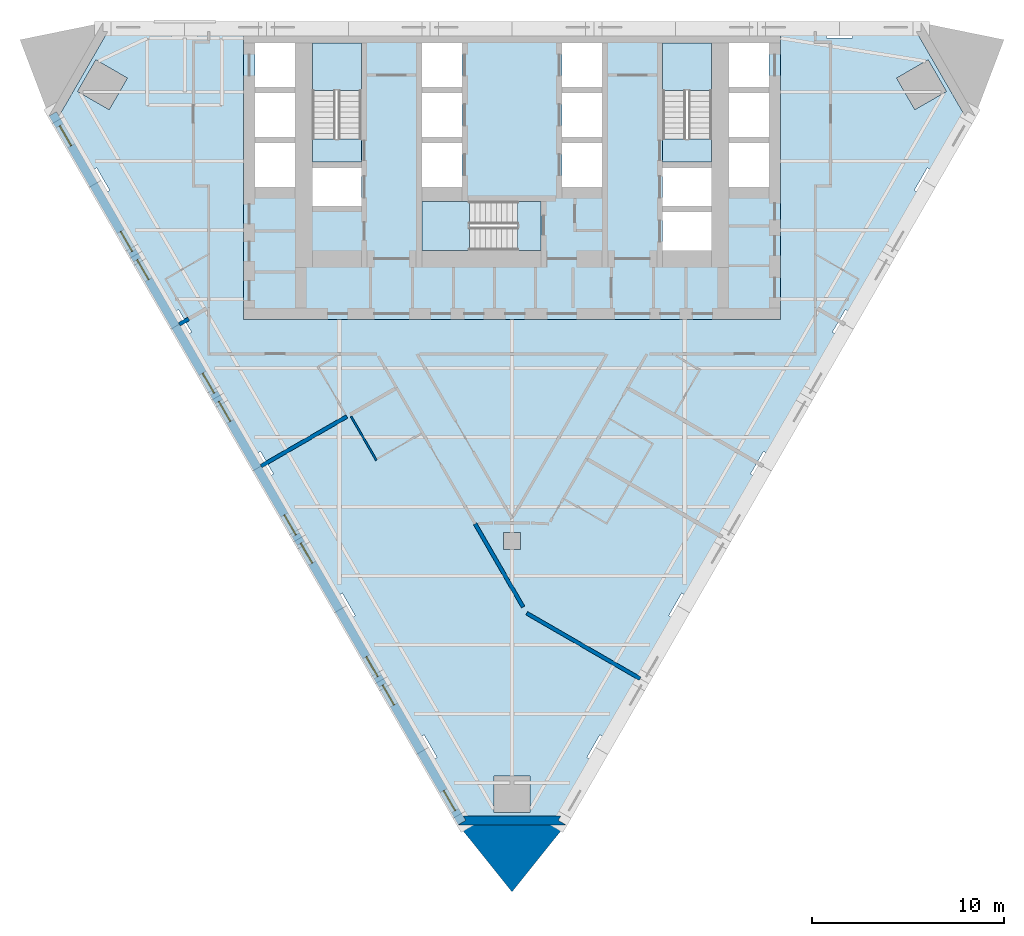
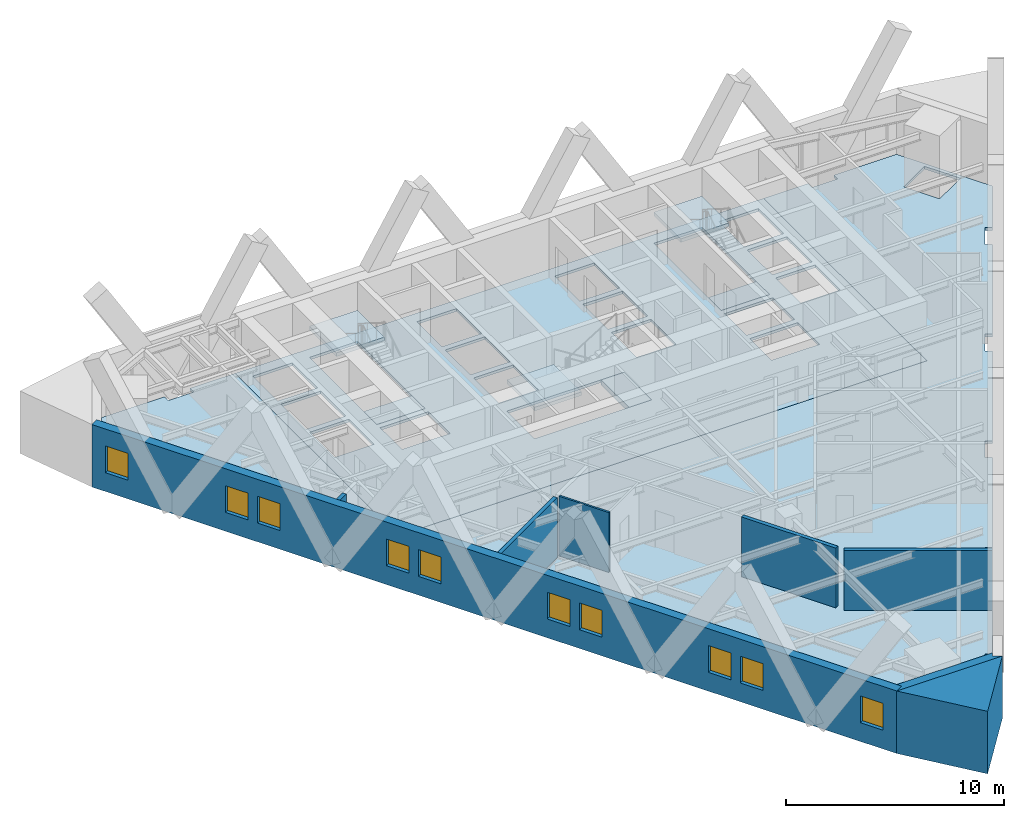
# One storey, part 2 of 8: 10 windows, 8 slabs, 8 walls, 10 openings, 3 elements without a shape of their own.
"""IFC4 building model written with IfcOpenShell, lengths in metres."""

import ifcopenshell
import ifcopenshell.guid

model = None  # the IFC model being written
_history = None  # IfcOwnerHistory: only IFC2X3 demands one
_inside = {}  # id of a spatial element -> (the spatial element, [elements in it])
_under = {}  # id of a project, library or spatial element -> (it, [spatial elements below it])
_declared = {}  # id of a project -> (the project, [libraries it declares])
_typed = {}  # id of a type object -> (the type object, [elements of that type])
_made_of = {}  # id of a material, layer set ... -> (it, [elements and type objects made of it])


def new_model(schema):
    """Start an empty IFC model of exactly this schema.

    Asked for "IFC4X3", IfcOpenShell would pick the latest addendum, in which some entities
    have other attributes; the version numbers below select the first issue.
    IFC2X3 requires an IfcOwnerHistory on every rooted entity: one is made here for all.
    """
    global model, _history
    if schema == "IFC4X3":
        model = ifcopenshell.file(schema_version=(4, 3, 0, 0))
    else:
        model = ifcopenshell.file(schema=schema)
    _inside.clear()
    _under.clear()
    _declared.clear()
    _typed.clear()
    _made_of.clear()
    _history = None
    if model.schema == "IFC2X3":
        org = make("IfcOrganization", Name="unknown")
        user = make(
            "IfcPersonAndOrganization",
            ThePerson=make("IfcPerson", FamilyName="unknown"),
            TheOrganization=org,
        )
        app = make(
            "IfcApplication",
            ApplicationDeveloper=org,
            Version="unknown",
            ApplicationFullName="unknown",
            ApplicationIdentifier="unknown",
        )
        _history = make(
            "IfcOwnerHistory",
            OwningUser=user,
            OwningApplication=app,
            ChangeAction="ADDED",
            CreationDate=0,
        )
    return model


def make(cls, **values):
    """One entity of the class cls with the attributes given. An attribute that is None is left unset."""
    return model.create_entity(
        cls, **{name: value for name, value in values.items() if value is not None}
    )


def rooted(cls, **values):
    """An entity with a GlobalId (a new one), such as an element, a storey or a relation."""
    return make(cls, GlobalId=ifcopenshell.guid.new(), OwnerHistory=_history, **values)


def si_unit(unit_type, name, prefix=None):
    """IfcSIUnit, for example si_unit("LENGTHUNIT", "METRE", prefix="MILLI")."""
    return make("IfcSIUnit", UnitType=unit_type, Prefix=prefix, Name=name)


def assignment(units):
    """IfcUnitAssignment: the units of a project."""
    return None if units is None else make("IfcUnitAssignment", Units=units)


def point(xyz):
    """IfcCartesianPoint."""
    return None if xyz is None else make("IfcCartesianPoint", Coordinates=xyz)


def direction(xyz):
    """IfcDirection."""
    return None if xyz is None else make("IfcDirection", DirectionRatios=xyz)


def frame(location, z_axis=None, x_axis=None):
    """IfcAxis2Placement3D, a coordinate frame: its origin and axes. An axis left out is left unset."""
    return make(
        "IfcAxis2Placement3D",
        Location=point(location),
        Axis=direction(z_axis),
        RefDirection=direction(x_axis),
    )


def frame_2d(location, x_axis=None):
    """IfcAxis2Placement2D, a coordinate frame in the plane: its origin and x axis."""
    return make(
        "IfcAxis2Placement2D", Location=point(location), RefDirection=direction(x_axis)
    )


def origin():
    """The frame at (0, 0, 0) with its axes left unset."""
    return frame((0.0, 0.0, 0.0))


def place(relative_to, where):
    """IfcLocalPlacement: puts the frame where relative to a parent placement (None: the world)."""
    return make(
        "IfcLocalPlacement", PlacementRelTo=relative_to, RelativePlacement=where
    )


def context(
    kind, dimensions, precision=None, world=None, true_north=None, identifier=None
):
    """IfcGeometricRepresentationContext, for example the 3D "Model" context."""
    return make(
        "IfcGeometricRepresentationContext",
        ContextIdentifier=identifier,
        ContextType=kind,
        CoordinateSpaceDimension=dimensions,
        Precision=precision,
        WorldCoordinateSystem=world,
        TrueNorth=true_north,
    )


def subcontext(parent, identifier, kind, view, scale=None):
    """IfcGeometricRepresentationSubContext, for example "Body" below "Model"."""
    return make(
        "IfcGeometricRepresentationSubContext",
        ContextIdentifier=identifier,
        ContextType=kind,
        ParentContext=parent,
        TargetScale=scale,
        TargetView=view,
    )


def project(units=None, contexts=None):
    """IfcProject with its units and contexts."""
    return rooted(
        "IfcProject",
        Name="project",
        RepresentationContexts=contexts,
        UnitsInContext=assignment(units),
    )


def spatial(cls, under=None, at=None, **own):
    """A site, building, storey or space (cls), placed at a placement, below another one or the project."""
    s = rooted(cls, ObjectPlacement=at, **own)
    if under is not None:
        _under.setdefault(under.id(), (under, []))[1].append(s)
    return s


def polyline(points):
    """IfcPolyline through the points."""
    return make("IfcPolyline", Points=[point(p) for p in points])


def profile(cls, at=None, kind="AREA", **sizes):
    """A parametric profile (cls). Its sizes go by their IFC names, for example OverallWidth=200.0."""
    return make(cls, ProfileType=kind, Position=at, **sizes)


def rectangle(**sizes):
    """IfcRectangleProfileDef."""
    return profile("IfcRectangleProfileDef", **sizes)


def outline(outer, holes=None, kind="AREA"):
    """IfcArbitraryClosedProfileDef: a profile drawn as a closed curve; with holes, ...WithVoids."""
    if holes is None:
        return make("IfcArbitraryClosedProfileDef", ProfileType=kind, OuterCurve=outer)
    return make(
        "IfcArbitraryProfileDefWithVoids",
        ProfileType=kind,
        OuterCurve=outer,
        InnerCurves=holes,
    )


def extrude(swept, where, along, depth):
    """IfcExtrudedAreaSolid: the profile swept, set in the frame where, extruded along a direction by depth."""
    return make(
        "IfcExtrudedAreaSolid",
        SweptArea=swept,
        Position=where,
        ExtrudedDirection=direction(along),
        Depth=depth,
    )


def shape(context_of_items, identifier, shape_type, items):
    """IfcShapeRepresentation: the items that make up one representation, for example the "Body"."""
    return make(
        "IfcShapeRepresentation",
        ContextOfItems=context_of_items,
        RepresentationIdentifier=identifier,
        RepresentationType=shape_type,
        Items=items,
    )


def material(Name=None, Category=None):
    """IfcMaterial."""
    return make("IfcMaterial", Name=Name, Category=Category)


def layer(
    of_material, thickness, ventilated=None, Name=None, Category=None, Priority=None
):
    """IfcMaterialLayer: one layer of a wall or slab, of a material (None: an air gap)."""
    return make(
        "IfcMaterialLayer",
        Material=of_material,
        LayerThickness=thickness,
        IsVentilated=ventilated,
        Name=Name,
        Category=Category,
        Priority=Priority,
    )


def layer_set(layers, Name=None):
    """IfcMaterialLayerSet."""
    return make("IfcMaterialLayerSet", MaterialLayers=layers, LayerSetName=Name)


def made_of(thing, what):
    """Note that an element or type object is made of a material, layer set ...; save() writes the relation."""
    if what is not None:
        _made_of.setdefault(what.id(), (what, []))[1].append(thing)
    return thing


def type_object(cls, material=None, **own):
    """A type object (cls), such as IfcWallType, which elements share."""
    return made_of(rooted(cls, **own), material)


def element(
    cls,
    number,
    at=None,
    inside=None,
    cuts=None,
    type_object=None,
    material=None,
    context=None,
    identifier="Body",
    shape_type=None,
    held_by="IfcProductDefinitionShape",
    body=None,
    shapes=None,
    **own,
):
    """One element of the class cls, such as IfcWall. Its Tag is "e" and its number.

    at: its placement. inside: the storey or other place that contains it. cuts: it is an
    opening in that element (IfcRelVoidsElement). A single representation is given by context,
    identifier, shape_type and body (its items); several are given by shapes. held_by: the class
    of the entity that holds the representations. save() writes the other relations.
    """
    e = rooted(cls, Tag="e%d" % number, ObjectPlacement=at, **own)
    if body is not None:
        shapes = [shape(context, identifier, shape_type, body)]
    if shapes is not None:
        e.Representation = make(held_by, Representations=shapes)
    if inside is not None:
        _inside.setdefault(inside.id(), (inside, []))[1].append(e)
    if cuts is not None:
        rooted(
            "IfcRelVoidsElement", RelatingBuildingElement=cuts, RelatedOpeningElement=e
        )
    if type_object is not None:
        _typed.setdefault(type_object.id(), (type_object, []))[1].append(e)
    return made_of(e, material)


def fill(opening, filler):
    """IfcRelFillsElement: the door or window that sits in an opening."""
    return rooted(
        "IfcRelFillsElement",
        RelatingOpeningElement=opening,
        RelatedBuildingElement=filler,
    )


def aggregate(whole, parts):
    """IfcRelAggregates: a whole, such as a stair, and the parts it consists of."""
    return rooted("IfcRelAggregates", RelatingObject=whole, RelatedObjects=parts)


def save(model, path):
    """Write the relations noted so far, then the file.

    IfcRelAggregates (storeys below a building ...), IfcRelContainedInSpatialStructure (elements
    in a storey), IfcRelDefinesByType, IfcRelAssociatesMaterial and IfcRelDeclares: one each for
    every whole, place, type object, material and project.
    """
    for whole, parts in _under.values():
        aggregate(whole, parts)
    for where, things in _inside.values():
        rooted(
            "IfcRelContainedInSpatialStructure",
            RelatedElements=things,
            RelatingStructure=where,
        )
    for kind, things in _typed.values():
        rooted("IfcRelDefinesByType", RelatedObjects=things, RelatingType=kind)
    for what, things in _made_of.values():
        rooted("IfcRelAssociatesMaterial", RelatedObjects=things, RelatingMaterial=what)
    for by, libraries in _declared.values():
        rooted("IfcRelDeclares", RelatingContext=by, RelatedDefinitions=libraries)
    model.write(path)


model = new_model("IFC4")

# Units and contexts
model_context = context("Model", 3, precision=1e-05, world=origin(), true_north=direction((0.0, 1.0)))
body_context = subcontext(model_context, "Body", "Model", "MODEL_VIEW")
ifc_project = project(units=[si_unit("LENGTHUNIT", "METRE"), si_unit("AREAUNIT", "SQUARE_METRE"), si_unit("VOLUMEUNIT", "CUBIC_METRE"), si_unit("PLANEANGLEUNIT", "RADIAN"), si_unit("MASSUNIT", "GRAM", prefix="KILO")], contexts=[model_context])

# Site, building, storey
site_placement = place(None, origin())
site = spatial("IfcSite", under=ifc_project, at=site_placement, CompositionType="ELEMENT")
building_placement = place(site_placement, origin())
building = spatial("IfcBuilding", under=site, at=building_placement, Name="Aloe Facet Convention Tower", CompositionType="ELEMENT")
storey_placement = place(building_placement, frame((0.0, 0.0, 88.800048828125)))
storey = spatial("IfcBuildingStorey", under=building, at=storey_placement, Name="L21", CompositionType="ELEMENT", Elevation=88.800048828125)

# Slabs
ifc_material_1 = material(Name="Concrete C70/85", Category="concrete")
ifc_layer_1 = layer(ifc_material_1, 0.14990234375)
ifc_layer_set_1 = layer_set([ifc_layer_1], Name="CR-S-FLOOR150-C7085")
slab_type_1 = type_object("IfcSlabType", Name="CR-S-FLOOR150-C7085", PredefinedType="FLOOR", material=ifc_layer_set_1)
slab_1_placement = place(storey_placement, frame((0.0, 0.0, -0.150146484375)))
element("IfcSlab", 1, at=slab_1_placement, inside=storey, type_object=slab_type_1, Name="Core floor L21", PredefinedType="FLOOR", context=body_context, shape_type="SweptSolid", body=[
    extrude(outline(polyline([(69.300048828125, 134.550048828125), (71.85009765625, 134.550048828125), (72.75, 134.550048828125), (74.699951171875, 134.550048828125), (75.60009765625, 134.550048828125), (77.10009765625, 134.550048828125), (78.0, 134.550048828125), (82.0, 134.550048828125), (82.89990234375, 134.550048828125), (84.39990234375, 134.550048828125), (85.300048828125, 134.550048828125), (87.25, 134.550048828125), (88.14990234375, 134.550048828125), (90.699951171875, 134.550048828125), (91.0, 134.550048828125), (94.0, 134.550048828125), (94.0, 131.949951171875), (94.0, 131.050048828125), (94.0, 129.35009765625), (94.0, 128.449951171875), (94.0, 126.449951171875), (94.0, 125.85009765625), (94.0, 124.949951171875), (94.0, 123.89990234375), (94.0, 122.871337890625), (94.0, 121.821533203125), (94.0, 119.550048828125), (91.300048828125, 119.550048828125), (90.699951171875, 119.550048828125), (89.60009765625, 119.550048828125), (88.550048828125, 119.550048828125), (87.89990234375, 119.550048828125), (86.85009765625, 119.550048828125), (85.699951171875, 119.550048828125), (84.64990234375, 119.550048828125), (83.699951171875, 119.550048828125), (82.64990234375, 119.550048828125), (81.75, 119.550048828125), (80.699951171875, 119.550048828125), (79.61669921875, 119.550048828125), (78.566650390625, 119.550048828125), (77.4833984375, 119.550048828125), (76.433349609375, 119.550048828125), (75.35009765625, 119.550048828125), (74.300048828125, 119.550048828125), (73.14990234375, 119.550048828125), (72.10009765625, 119.550048828125), (69.300048828125, 119.550048828125), (68.699951171875, 119.550048828125), (66.0, 119.550048828125), (66.0, 121.5), (66.0, 122.550048828125), (66.0, 123.639404296875), (66.0, 124.689453125), (66.0, 125.85009765625), (66.0, 126.449951171875), (66.0, 128.449951171875), (66.0, 129.35009765625), (66.0, 131.050048828125), (66.0, 131.949951171875), (66.0, 134.550048828125), (69.0, 134.550048828125), (69.300048828125, 134.550048828125)]), holes=[polyline([(75.300048828125, 123.14990234375), (80.298828125, 123.14990234375), (81.5, 123.14990234375), (81.5, 125.699951171875), (80.298828125, 125.699951171875), (75.300048828125, 125.699951171875), (75.300048828125, 123.14990234375)]), polyline([(69.60009765625, 125.449951171875), (72.14990234375, 125.449951171875), (72.14990234375, 127.449951171875), (69.60009765625, 127.449951171875), (69.60009765625, 125.449951171875)]), polyline([(66.60009765625, 126.449951171875), (68.699951171875, 126.449951171875), (68.699951171875, 128.75), (66.60009765625, 128.75), (66.60009765625, 126.449951171875)]), polyline([(75.300048828125, 126.449951171875), (77.39990234375, 126.449951171875), (77.39990234375, 128.75), (75.300048828125, 128.75), (75.300048828125, 126.449951171875)]), polyline([(66.60009765625, 129.050048828125), (68.699951171875, 129.050048828125), (68.699951171875, 131.35009765625), (66.60009765625, 131.35009765625), (66.60009765625, 129.050048828125)]), polyline([(75.300048828125, 129.050048828125), (77.39990234375, 129.050048828125), (77.39990234375, 131.35009765625), (75.300048828125, 131.35009765625), (75.300048828125, 129.050048828125)]), polyline([(69.60009765625, 133.949951171875), (69.60009765625, 128.951171875), (69.60009765625, 127.75), (72.14990234375, 127.75), (72.14990234375, 128.951171875), (72.14990234375, 133.949951171875), (69.60009765625, 133.949951171875)]), polyline([(66.60009765625, 133.949951171875), (66.60009765625, 131.64990234375), (68.699951171875, 131.64990234375), (68.699951171875, 133.949951171875), (66.60009765625, 133.949951171875)]), polyline([(75.300048828125, 133.949951171875), (75.300048828125, 131.64990234375), (77.39990234375, 131.64990234375), (77.39990234375, 133.949951171875), (75.300048828125, 133.949951171875)]), polyline([(87.85009765625, 123.14990234375), (90.39990234375, 123.14990234375), (90.39990234375, 125.14990234375), (87.85009765625, 125.14990234375), (87.85009765625, 123.14990234375)]), polyline([(87.85009765625, 125.449951171875), (90.39990234375, 125.449951171875), (90.39990234375, 127.449951171875), (87.85009765625, 127.449951171875), (87.85009765625, 125.449951171875)]), polyline([(82.60009765625, 126.449951171875), (84.699951171875, 126.449951171875), (84.699951171875, 128.75), (82.60009765625, 128.75), (82.60009765625, 126.449951171875)]), polyline([(91.300048828125, 126.449951171875), (93.39990234375, 126.449951171875), (93.39990234375, 128.75), (91.300048828125, 128.75), (91.300048828125, 126.449951171875)]), polyline([(82.60009765625, 129.050048828125), (84.699951171875, 129.050048828125), (84.699951171875, 131.35009765625), (82.60009765625, 131.35009765625), (82.60009765625, 129.050048828125)]), polyline([(91.300048828125, 129.050048828125), (93.39990234375, 129.050048828125), (93.39990234375, 131.35009765625), (91.300048828125, 131.35009765625), (91.300048828125, 129.050048828125)]), polyline([(87.85009765625, 133.949951171875), (87.85009765625, 128.951171875), (87.85009765625, 127.75), (90.39990234375, 127.75), (90.39990234375, 128.951171875), (90.39990234375, 133.949951171875), (87.85009765625, 133.949951171875)]), polyline([(82.60009765625, 133.949951171875), (82.60009765625, 131.64990234375), (84.699951171875, 131.64990234375), (84.699951171875, 133.949951171875), (82.60009765625, 133.949951171875)]), polyline([(91.300048828125, 133.949951171875), (91.300048828125, 131.64990234375), (93.39990234375, 131.64990234375), (93.39990234375, 133.949951171875), (91.300048828125, 133.949951171875)])]), origin(), (0.0, 0.0, 1.0), 0.150146484375),
])
ifc_material_2 = material(Name="Concrete C70/85", Category="concrete")
ifc_layer_2 = layer(ifc_material_2, 0.300048828125)
ifc_layer_set_2 = layer_set([ifc_layer_2], Name="CR-S-FLOOR300-C7085")
slab_type_2 = type_object("IfcSlabType", Name="CR-S-FLOOR300-C7085", PredefinedType="FLOOR", material=ifc_layer_set_2)
slab_2_placement = place(storey_placement, frame((0.0, 0.0, -0.300048828125)))
element("IfcSlab", 2, at=slab_2_placement, inside=storey, type_object=slab_type_2, Name="Stair landing floor L21", PredefinedType="FLOOR", context=body_context, shape_type="SweptSolid", body=[
    extrude(outline(polyline([(72.14990234375, 127.75), (72.14990234375, 128.951171875), (69.60009765625, 128.951171875), (69.60009765625, 127.75), (72.14990234375, 127.75)])), origin(), (0.0, 0.0, 1.0), 0.300048828125),
])
slab_3_placement = place(storey_placement, frame((0.0, 0.0, -0.300048828125)))
element("IfcSlab", 3, at=slab_3_placement, inside=storey, type_object=slab_type_2, Name="Stair landing floor L21", PredefinedType="FLOOR", context=body_context, shape_type="SweptSolid", body=[
    extrude(outline(polyline([(90.39990234375, 127.75), (90.39990234375, 128.951171875), (87.85009765625, 128.951171875), (87.85009765625, 127.75), (90.39990234375, 127.75)])), origin(), (0.0, 0.0, 1.0), 0.300048828125),
])
slab_4_placement = place(storey_placement, frame((0.0, 0.0, -0.300048828125)))
element("IfcSlab", 4, at=slab_4_placement, inside=storey, type_object=slab_type_2, Name="Stair landing floor L21", PredefinedType="FLOOR", context=body_context, shape_type="SweptSolid", body=[
    extrude(outline(polyline([(81.5, 125.699951171875), (80.298828125, 125.699951171875), (80.298828125, 123.14990234375), (81.5, 123.14990234375), (81.5, 125.699951171875)])), origin(), (0.0, 0.0, 1.0), 0.300048828125),
])

# Stair, slab
ifc_material_3 = material(Name="Concrete C50/60", Category="concrete")
stair_type = type_object("IfcStairType", Name="CR-ST-20R", PredefinedType="HALF_TURN_STAIR", material=ifc_material_3)
stair_1_placement = place(storey_placement, origin())
stair_1 = element("IfcStair", 5, at=stair_1_placement, inside=storey, type_object=stair_type, Name="L21 Protected exit stair ST1", PredefinedType="HALF_TURN_STAIR")
ifc_material_4 = material(Name="Concrete C50/60", Category="concrete")
ifc_layer_3 = layer(ifc_material_4, 0.199951171875)
ifc_layer_set_3 = layer_set([ifc_layer_3], Name="CR-SL-LANDING")
slab_type_3 = type_object("IfcSlabType", Name="CR-SL-LANDING", PredefinedType="LANDING", material=ifc_layer_set_3)
slab_5_placement = place(storey_placement, frame((0.0, 0.0, 1.550048828125)))
slab_5 = element("IfcSlab", 6, at=slab_5_placement, type_object=slab_type_3, Name="ST1 landing 1", PredefinedType="LANDING", context=body_context, shape_type="SweptSolid", body=[
    extrude(outline(polyline([(72.14990234375, 131.469970703125), (72.14990234375, 133.949951171875), (69.60009765625, 133.949951171875), (69.60009765625, 131.469970703125), (72.14990234375, 131.469970703125)])), origin(), (0.0, 0.0, 1.0), 0.199951171875),
])
aggregate(stair_1, [slab_5])

stair_2_placement = place(storey_placement, origin())
stair_2 = element("IfcStair", 7, at=stair_2_placement, inside=storey, type_object=stair_type, Name="L21 Protected exit stair ST2", PredefinedType="HALF_TURN_STAIR")
slab_6_placement = place(storey_placement, frame((0.0, 0.0, 1.550048828125)))
slab_6 = element("IfcSlab", 8, at=slab_6_placement, type_object=slab_type_3, Name="ST2 landing 1", PredefinedType="LANDING", context=body_context, shape_type="SweptSolid", body=[
    extrude(outline(polyline([(90.39990234375, 131.469970703125), (90.39990234375, 133.949951171875), (87.85009765625, 133.949951171875), (87.85009765625, 131.469970703125), (90.39990234375, 131.469970703125)])), origin(), (0.0, 0.0, 1.0), 0.199951171875),
])
aggregate(stair_2, [slab_6])

stair_3_placement = place(storey_placement, origin())
stair_3 = element("IfcStair", 9, at=stair_3_placement, inside=storey, type_object=stair_type, Name="L21 Protected exit stair ST3", PredefinedType="HALF_TURN_STAIR")
slab_7_placement = place(storey_placement, frame((0.0, 0.0, 1.550048828125)))
slab_7 = element("IfcSlab", 10, at=slab_7_placement, type_object=slab_type_3, Name="ST3 landing 1", PredefinedType="LANDING", context=body_context, shape_type="SweptSolid", body=[
    extrude(outline(polyline([(77.780029296875, 125.699951171875), (75.300048828125, 125.699951171875), (75.300048828125, 123.14990234375), (77.780029296875, 123.14990234375), (77.780029296875, 125.699951171875)])), origin(), (0.0, 0.0, 1.0), 0.199951171875),
])
aggregate(stair_3, [slab_7])

# Slab
ifc_material_5 = material(Name="Concrete C35/45", Category="concrete")
ifc_layer_4 = layer(ifc_material_5, 0.14990234375)
ifc_layer_set_4 = layer_set([ifc_layer_4], Name="SF-FS-150")
slab_type_4 = type_object("IfcSlabType", Name="SF-FS-150", PredefinedType="FLOOR", material=ifc_layer_set_4)
slab_8_placement = place(storey_placement, frame((0.0, 0.0, -0.150146484375)))
element("IfcSlab", 11, at=slab_8_placement, inside=storey, type_object=slab_type_4, Name="Floor slab L21-1", PredefinedType="FLOOR", context=body_context, shape_type="SweptSolid", body=[
    extrude(outline(polyline([(103.601806640625, 130.150390625), (101.93798828125, 127.268310546875), (101.635009765625, 127.443359375), (101.543212890625, 127.2841796875), (101.419677734375, 127.070556640625), (101.050048828125, 126.430419921875), (101.00390625, 126.35009765625), (100.9580078125, 126.27099609375), (101.26123046875, 126.09619140625), (97.673828125, 119.88232421875), (97.37060546875, 120.057373046875), (96.9091796875, 119.258056640625), (96.739501953125, 118.964111328125), (96.69384765625, 118.885009765625), (96.996826171875, 118.710205078125), (93.409423828125, 112.496337890625), (93.1064453125, 112.67138671875), (92.89111328125, 112.298583984375), (92.79931640625, 112.139404296875), (92.644775390625, 111.8720703125), (92.644775390625, 111.8720703125), (92.610595703125, 111.812744140625), (92.47509765625, 111.578125), (92.429443359375, 111.4990234375), (92.732666015625, 111.32421875), (89.145263671875, 105.1103515625), (88.842041015625, 105.285400390625), (88.75, 105.126220703125), (88.503662109375, 104.69921875), (88.2109375, 104.192138671875), (88.165283203125, 104.113037109375), (88.46826171875, 103.93798828125), (84.880859375, 97.724365234375), (84.577880859375, 97.8994140625), (84.529296875, 97.8154296875), (84.2392578125, 97.313232421875), (83.946533203125, 96.80615234375), (83.90087890625, 96.72705078125), (84.2041015625, 96.552001953125), (82.540283203125, 93.67041015625), (77.459716796875, 93.67041015625), (75.7958984375, 96.552001953125), (76.09912109375, 96.72705078125), (76.053466796875, 96.80615234375), (75.8837890625, 97.10009765625), (75.422119140625, 97.8994140625), (75.119140625, 97.724365234375), (71.53173828125, 103.93798828125), (71.834716796875, 104.113037109375), (71.7890625, 104.192138671875), (71.619384765625, 104.486083984375), (71.157958984375, 105.285400390625), (70.854736328125, 105.1103515625), (67.267333984375, 111.32421875), (67.570556640625, 111.4990234375), (67.52490234375, 111.578125), (67.232177734375, 112.085205078125), (67.1201171875, 112.279296875), (66.8935546875, 112.67138671875), (66.590576171875, 112.496337890625), (63.003173828125, 118.710205078125), (63.30615234375, 118.885009765625), (63.0908203125, 119.258056640625), (62.9677734375, 119.47119140625), (62.675048828125, 119.978271484375), (62.62939453125, 120.057373046875), (62.326171875, 119.88232421875), (58.73876953125, 126.09619140625), (59.0419921875, 126.27099609375), (58.99609375, 126.35009765625), (58.959716796875, 126.413330078125), (58.580322265625, 127.070556640625), (58.364990234375, 127.443359375), (58.06201171875, 127.268310546875), (56.398193359375, 130.150390625), (58.938232421875, 134.550048828125), (62.265869140625, 134.550048828125), (62.265869140625, 134.199951171875), (62.357421875, 134.199951171875), (62.696533203125, 134.199951171875), (62.94287109375, 134.199951171875), (63.18896484375, 134.199951171875), (63.5283203125, 134.199951171875), (63.61962890625, 134.199951171875), (63.61962890625, 134.550048828125), (66.0, 134.550048828125), (66.0, 131.949951171875), (66.0, 131.050048828125), (66.0, 129.35009765625), (66.0, 128.449951171875), (66.0, 126.449951171875), (66.0, 125.85009765625), (66.0, 124.689453125), (66.0, 123.639404296875), (66.0, 122.550048828125), (66.0, 121.5), (66.0, 119.550048828125), (68.699951171875, 119.550048828125), (69.300048828125, 119.550048828125), (72.10009765625, 119.550048828125), (73.14990234375, 119.550048828125), (74.300048828125, 119.550048828125), (75.35009765625, 119.550048828125), (76.433349609375, 119.550048828125), (77.4833984375, 119.550048828125), (78.566650390625, 119.550048828125), (79.61669921875, 119.550048828125), (80.699951171875, 119.550048828125), (81.75, 119.550048828125), (82.64990234375, 119.550048828125), (83.699951171875, 119.550048828125), (84.64990234375, 119.550048828125), (85.699951171875, 119.550048828125), (86.85009765625, 119.550048828125), (87.89990234375, 119.550048828125), (88.550048828125, 119.550048828125), (89.60009765625, 119.550048828125), (90.699951171875, 119.550048828125), (91.300048828125, 119.550048828125), (94.0, 119.550048828125), (94.0, 121.8212890625), (94.0, 122.871337890625), (94.0, 123.89990234375), (94.0, 124.949951171875), (94.0, 125.85009765625), (94.0, 126.449951171875), (94.0, 128.449951171875), (94.0, 129.35009765625), (94.0, 131.050048828125), (94.0, 131.949951171875), (94.0, 134.550048828125), (96.38037109375, 134.550048828125), (96.38037109375, 134.199951171875), (96.4716796875, 134.199951171875), (96.81103515625, 134.199951171875), (97.05712890625, 134.199951171875), (97.303466796875, 134.199951171875), (97.642578125, 134.199951171875), (97.734130859375, 134.199951171875), (97.734130859375, 134.550048828125), (101.061767578125, 134.550048828125), (103.601806640625, 130.150390625)]), holes=[polyline([(59.9619140625, 132.122802734375), (58.31640625, 133.072998046875), (57.366455078125, 131.427490234375), (59.01171875, 130.477294921875), (59.9619140625, 132.122802734375)]), polyline([(79.050048828125, 95.770263671875), (79.050048828125, 93.870361328125), (80.949951171875, 93.870361328125), (80.949951171875, 95.770263671875), (79.050048828125, 95.770263671875)]), polyline([(79.550048828125, 107.550048828125), (80.449951171875, 107.550048828125), (80.449951171875, 108.449951171875), (79.550048828125, 108.449951171875), (79.550048828125, 107.550048828125)]), polyline([(100.98828125, 130.477294921875), (102.633544921875, 131.427490234375), (101.68359375, 133.072998046875), (100.0380859375, 132.122802734375), (100.98828125, 130.477294921875)])]), origin(), (0.0, 0.0, 1.0), 0.150146484375),
])

# Walls
ifc_material_6 = material(Name="Precast concrete C40/50", Category="concrete")
ifc_layer_5 = layer(ifc_material_6, 0.449951171875)
ifc_layer_set_5 = layer_set([ifc_layer_5], Name="EV-WALL-PIER")
wall_type_1 = type_object("IfcWallType", Name="EV-WALL-PIER", PredefinedType="SOLIDWALL", material=ifc_layer_set_5)
wall_1_placement = place(storey_placement, frame((0.0, 0.0, -0.150146484375)))
element("IfcWall", 12, at=wall_1_placement, inside=storey, type_object=wall_type_1, Name="EP-L21-B", PredefinedType="SOLIDWALL", context=body_context, shape_type="SweptSolid", body=[
    extrude(outline(polyline([(77.199951171875, 93.22021484375), (77.589599609375, 93.4453125), (77.459716796875, 93.670166015625), (82.540283203125, 93.670166015625), (82.410400390625, 93.4453125), (82.800048828125, 93.22021484375), (77.199951171875, 93.22021484375)])), origin(), (0.0, 0.0, 1.0), 3.5),
])
ifc_material_7 = material(Name="Precast concrete C40/50", Category="concrete")
ifc_layer_6 = layer(ifc_material_7, 3.947998046875)
ifc_layer_set_6 = layer_set([ifc_layer_6], Name="EV-WALL-SPINE")
wall_type_2 = type_object("IfcWallType", Name="EV-WALL-SPINE", PredefinedType="SOLIDWALL", material=ifc_layer_set_6)
wall_2_placement = place(storey_placement, frame((0.0, 0.0, -0.150146484375)))
element("IfcWall", 13, at=wall_2_placement, inside=storey, type_object=wall_type_2, Name="SP-S-L21", PredefinedType="SOLIDWALL", context=body_context, shape_type="SweptSolid", body=[
    extrude(outline(polyline([(77.199951171875, 93.22021484375), (80.0, 89.7216796875), (82.800048828125, 93.22021484375), (77.199951171875, 93.22021484375)])), origin(), (0.0, 0.0, 1.0), 3.5),
])

# Wall, openings, windows
ifc_material_8 = material(Name="Precast concrete C40/50", Category="concrete")
ifc_layer_7 = layer(ifc_material_8, 0.449951171875)
ifc_layer_set_7 = layer_set([ifc_layer_7], Name="EV-WALL-STONE")
wall_type_3 = type_object("IfcWallType", Name="EV-WALL-STONE", PredefinedType="SOLIDWALL", material=ifc_layer_set_7)
wall_3_placement = place(storey_placement, frame((56.0732421875, 130.2626953125, -0.150146484375), z_axis=(0.0, 0.0, 1.0), x_axis=(0.500000478905, -0.866025127289, 0.0)))
wall_3 = element("IfcWall", 14, at=wall_3_placement, inside=storey, type_object=wall_type_3, Name="EW-L21-W01", PredefinedType="SOLIDWALL", context=body_context, shape_type="SweptSolid", body=[
    extrude(outline(polyline([(42.64306640625, 0.0), (42.64306640625, 3.5), (0.0, 3.5), (0.0, 0.0), (42.64306640625, 0.0)])), frame((0.0, 0.22509765625, 0.0), z_axis=(0.0, -1.0, 0.0), x_axis=(1.0, 0.0, 0.0)), (0.0, 0.0, 1.0), 0.449951171875),
])
opening_1_placement = place(wall_3_placement, frame((0.720458984375, 0.0, 1.050048828125)))
opening_1 = element("IfcOpeningElement", 15, at=opening_1_placement, cuts=wall_3, Name="Opening W-L21-W01", PredefinedType="OPENING", context=body_context, shape_type="SweptSolid", body=[
    extrude(rectangle(XDim=1.199951171875, YDim=1.5, at=frame_2d((0.60009765625, 0.75))), frame((0.0, 0.23486328125, 0.0), z_axis=(0.0, -1.0, 0.0), x_axis=(1.0, 0.0, 0.0)), (0.0, 0.0, 1.0), 0.469970703125),
])
opening_2_placement = place(wall_3_placement, frame((7.07861328125, 0.0, 1.050048828125)))
opening_2 = element("IfcOpeningElement", 16, at=opening_2_placement, cuts=wall_3, Name="Opening W-L21-W02", PredefinedType="OPENING", context=body_context, shape_type="SweptSolid", body=[
    extrude(rectangle(XDim=1.199951171875, YDim=1.5, at=frame_2d((0.60009765625, 0.75))), frame((0.0, 0.23486328125, 0.0), z_axis=(0.0, -1.0, 0.0), x_axis=(1.0, 0.0, 0.0)), (0.0, 0.0, 1.0), 0.469970703125),
])
opening_3_placement = place(wall_3_placement, frame((8.778564453125, 0.0, 1.050048828125)))
opening_3 = element("IfcOpeningElement", 17, at=opening_3_placement, cuts=wall_3, Name="Opening W-L21-W03", PredefinedType="OPENING", context=body_context, shape_type="SweptSolid", body=[
    extrude(rectangle(XDim=1.199951171875, YDim=1.5, at=frame_2d((0.60009765625, 0.75))), frame((0.0, 0.23486328125, 0.0), z_axis=(0.0, -1.0, 0.0), x_axis=(1.0, 0.0, 0.0)), (0.0, 0.0, 1.0), 0.469970703125),
])
opening_4_placement = place(wall_3_placement, frame((15.607177734375, 0.0, 1.050048828125)))
opening_4 = element("IfcOpeningElement", 18, at=opening_4_placement, cuts=wall_3, Name="Opening W-L21-W04", PredefinedType="OPENING", context=body_context, shape_type="SweptSolid", body=[
    extrude(rectangle(XDim=1.199951171875, YDim=1.5, at=frame_2d((0.60009765625, 0.75))), frame((0.0, 0.23486328125, 0.0), z_axis=(0.0, -1.0, 0.0), x_axis=(1.0, 0.0, 0.0)), (0.0, 0.0, 1.0), 0.469970703125),
])
opening_5_placement = place(wall_3_placement, frame((17.30712890625, 0.0, 1.050048828125)))
opening_5 = element("IfcOpeningElement", 19, at=opening_5_placement, cuts=wall_3, Name="Opening W-L21-W05", PredefinedType="OPENING", context=body_context, shape_type="SweptSolid", body=[
    extrude(rectangle(XDim=1.199951171875, YDim=1.5, at=frame_2d((0.60009765625, 0.75))), frame((0.0, 0.23486328125, 0.0), z_axis=(0.0, -1.0, 0.0), x_axis=(1.0, 0.0, 0.0)), (0.0, 0.0, 1.0), 0.469970703125),
])
opening_6_placement = place(wall_3_placement, frame((24.1357421875, 0.0, 1.050048828125)))
opening_6 = element("IfcOpeningElement", 20, at=opening_6_placement, cuts=wall_3, Name="Opening W-L21-W06", PredefinedType="OPENING", context=body_context, shape_type="SweptSolid", body=[
    extrude(rectangle(XDim=1.199951171875, YDim=1.5, at=frame_2d((0.60009765625, 0.75))), frame((0.0, 0.23486328125, 0.0), z_axis=(0.0, -1.0, 0.0), x_axis=(1.0, 0.0, 0.0)), (0.0, 0.0, 1.0), 0.469970703125),
])
opening_7_placement = place(wall_3_placement, frame((25.8359375, 0.0, 1.050048828125)))
opening_7 = element("IfcOpeningElement", 21, at=opening_7_placement, cuts=wall_3, Name="Opening W-L21-W07", PredefinedType="OPENING", context=body_context, shape_type="SweptSolid", body=[
    extrude(rectangle(XDim=1.199951171875, YDim=1.5, at=frame_2d((0.60009765625, 0.75))), frame((0.0, 0.23486328125, 0.0), z_axis=(0.0, -1.0, 0.0), x_axis=(1.0, 0.0, 0.0)), (0.0, 0.0, 1.0), 0.469970703125),
])
opening_8_placement = place(wall_3_placement, frame((32.66455078125, 0.0, 1.050048828125)))
opening_8 = element("IfcOpeningElement", 22, at=opening_8_placement, cuts=wall_3, Name="Opening W-L21-W08", PredefinedType="OPENING", context=body_context, shape_type="SweptSolid", body=[
    extrude(rectangle(XDim=1.199951171875, YDim=1.5, at=frame_2d((0.60009765625, 0.75))), frame((0.0, 0.23486328125, 0.0), z_axis=(0.0, -1.0, 0.0), x_axis=(1.0, 0.0, 0.0)), (0.0, 0.0, 1.0), 0.469970703125),
])
opening_9_placement = place(wall_3_placement, frame((34.364501953125, 0.0, 1.050048828125)))
opening_9 = element("IfcOpeningElement", 23, at=opening_9_placement, cuts=wall_3, Name="Opening W-L21-W09", PredefinedType="OPENING", context=body_context, shape_type="SweptSolid", body=[
    extrude(rectangle(XDim=1.199951171875, YDim=1.5, at=frame_2d((0.60009765625, 0.75))), frame((0.0, 0.23486328125, 0.0), z_axis=(0.0, -1.0, 0.0), x_axis=(1.0, 0.0, 0.0)), (0.0, 0.0, 1.0), 0.469970703125),
])
opening_10_placement = place(wall_3_placement, frame((40.722412109375, 0.0, 1.050048828125)))
opening_10 = element("IfcOpeningElement", 24, at=opening_10_placement, cuts=wall_3, Name="Opening W-L21-W10", PredefinedType="OPENING", context=body_context, shape_type="SweptSolid", body=[
    extrude(rectangle(XDim=1.199951171875, YDim=1.5, at=frame_2d((0.60009765625, 0.75))), frame((0.0, 0.23486328125, 0.0), z_axis=(0.0, -1.0, 0.0), x_axis=(1.0, 0.0, 0.0)), (0.0, 0.0, 1.0), 0.469970703125),
])
ifc_material_9 = material(Name="Aluminium frame, clear double glazing", Category="aluminium")
window_type = type_object("IfcWindowType", Name="EV-WIN-H12", PartitioningType="SINGLE_PANEL", PredefinedType="WINDOW", material=ifc_material_9)
window_1_placement = place(opening_1_placement, origin())
window_1 = element("IfcWindow", 25, at=window_1_placement, inside=storey, type_object=window_type, Name="W-L21-W01", OverallHeight=1.5, OverallWidth=1.199951171875, PartitioningType="SINGLE_PANEL", PredefinedType="WINDOW", context=body_context, shape_type="SweptSolid", body=[
    extrude(rectangle(XDim=1.199951171875, YDim=1.5, at=frame_2d((0.60009765625, 0.75))), frame((0.0, 0.030029296875, 0.0), z_axis=(0.0, -1.0, 0.0), x_axis=(1.0, 0.0, 0.0)), (0.0, 0.0, 1.0), 0.06005859375),
])
fill(opening_1, window_1)
window_2_placement = place(opening_2_placement, origin())
window_2 = element("IfcWindow", 26, at=window_2_placement, inside=storey, type_object=window_type, Name="W-L21-W02", OverallHeight=1.5, OverallWidth=1.199951171875, PartitioningType="SINGLE_PANEL", PredefinedType="WINDOW", context=body_context, shape_type="SweptSolid", body=[
    extrude(rectangle(XDim=1.199951171875, YDim=1.5, at=frame_2d((0.60009765625, 0.75))), frame((0.0, 0.030029296875, 0.0), z_axis=(0.0, -1.0, 0.0), x_axis=(1.0, 0.0, 0.0)), (0.0, 0.0, 1.0), 0.06005859375),
])
fill(opening_2, window_2)
window_3_placement = place(opening_3_placement, origin())
window_3 = element("IfcWindow", 27, at=window_3_placement, inside=storey, type_object=window_type, Name="W-L21-W03", OverallHeight=1.5, OverallWidth=1.199951171875, PartitioningType="SINGLE_PANEL", PredefinedType="WINDOW", context=body_context, shape_type="SweptSolid", body=[
    extrude(rectangle(XDim=1.199951171875, YDim=1.5, at=frame_2d((0.60009765625, 0.75))), frame((0.0, 0.030029296875, 0.0), z_axis=(0.0, -1.0, 0.0), x_axis=(1.0, 0.0, 0.0)), (0.0, 0.0, 1.0), 0.06005859375),
])
fill(opening_3, window_3)
window_4_placement = place(opening_4_placement, origin())
window_4 = element("IfcWindow", 28, at=window_4_placement, inside=storey, type_object=window_type, Name="W-L21-W04", OverallHeight=1.5, OverallWidth=1.199951171875, PartitioningType="SINGLE_PANEL", PredefinedType="WINDOW", context=body_context, shape_type="SweptSolid", body=[
    extrude(rectangle(XDim=1.199951171875, YDim=1.5, at=frame_2d((0.60009765625, 0.75))), frame((0.0, 0.030029296875, 0.0), z_axis=(0.0, -1.0, 0.0), x_axis=(1.0, 0.0, 0.0)), (0.0, 0.0, 1.0), 0.06005859375),
])
fill(opening_4, window_4)
window_5_placement = place(opening_5_placement, origin())
window_5 = element("IfcWindow", 29, at=window_5_placement, inside=storey, type_object=window_type, Name="W-L21-W05", OverallHeight=1.5, OverallWidth=1.199951171875, PartitioningType="SINGLE_PANEL", PredefinedType="WINDOW", context=body_context, shape_type="SweptSolid", body=[
    extrude(rectangle(XDim=1.199951171875, YDim=1.5, at=frame_2d((0.60009765625, 0.75))), frame((0.0, 0.030029296875, 0.0), z_axis=(0.0, -1.0, 0.0), x_axis=(1.0, 0.0, 0.0)), (0.0, 0.0, 1.0), 0.06005859375),
])
fill(opening_5, window_5)
window_6_placement = place(opening_6_placement, origin())
window_6 = element("IfcWindow", 30, at=window_6_placement, inside=storey, type_object=window_type, Name="W-L21-W06", OverallHeight=1.5, OverallWidth=1.199951171875, PartitioningType="SINGLE_PANEL", PredefinedType="WINDOW", context=body_context, shape_type="SweptSolid", body=[
    extrude(rectangle(XDim=1.199951171875, YDim=1.5, at=frame_2d((0.60009765625, 0.75))), frame((0.0, 0.030029296875, 0.0), z_axis=(0.0, -1.0, 0.0), x_axis=(1.0, 0.0, 0.0)), (0.0, 0.0, 1.0), 0.06005859375),
])
fill(opening_6, window_6)
window_7_placement = place(opening_7_placement, origin())
window_7 = element("IfcWindow", 31, at=window_7_placement, inside=storey, type_object=window_type, Name="W-L21-W07", OverallHeight=1.5, OverallWidth=1.199951171875, PartitioningType="SINGLE_PANEL", PredefinedType="WINDOW", context=body_context, shape_type="SweptSolid", body=[
    extrude(rectangle(XDim=1.199951171875, YDim=1.5, at=frame_2d((0.60009765625, 0.75))), frame((0.0, 0.030029296875, 0.0), z_axis=(0.0, -1.0, 0.0), x_axis=(1.0, 0.0, 0.0)), (0.0, 0.0, 1.0), 0.06005859375),
])
fill(opening_7, window_7)
window_8_placement = place(opening_8_placement, origin())
window_8 = element("IfcWindow", 32, at=window_8_placement, inside=storey, type_object=window_type, Name="W-L21-W08", OverallHeight=1.5, OverallWidth=1.199951171875, PartitioningType="SINGLE_PANEL", PredefinedType="WINDOW", context=body_context, shape_type="SweptSolid", body=[
    extrude(rectangle(XDim=1.199951171875, YDim=1.5, at=frame_2d((0.60009765625, 0.75))), frame((0.0, 0.030029296875, 0.0), z_axis=(0.0, -1.0, 0.0), x_axis=(1.0, 0.0, 0.0)), (0.0, 0.0, 1.0), 0.06005859375),
])
fill(opening_8, window_8)
window_9_placement = place(opening_9_placement, origin())
window_9 = element("IfcWindow", 33, at=window_9_placement, inside=storey, type_object=window_type, Name="W-L21-W09", OverallHeight=1.5, OverallWidth=1.199951171875, PartitioningType="SINGLE_PANEL", PredefinedType="WINDOW", context=body_context, shape_type="SweptSolid", body=[
    extrude(rectangle(XDim=1.199951171875, YDim=1.5, at=frame_2d((0.60009765625, 0.75))), frame((0.0, 0.030029296875, 0.0), z_axis=(0.0, -1.0, 0.0), x_axis=(1.0, 0.0, 0.0)), (0.0, 0.0, 1.0), 0.06005859375),
])
fill(opening_9, window_9)
window_10_placement = place(opening_10_placement, origin())
window_10 = element("IfcWindow", 34, at=window_10_placement, inside=storey, type_object=window_type, Name="W-L21-W10", OverallHeight=1.5, OverallWidth=1.199951171875, PartitioningType="SINGLE_PANEL", PredefinedType="WINDOW", context=body_context, shape_type="SweptSolid", body=[
    extrude(rectangle(XDim=1.199951171875, YDim=1.5, at=frame_2d((0.60009765625, 0.75))), frame((0.0, 0.030029296875, 0.0), z_axis=(0.0, -1.0, 0.0), x_axis=(1.0, 0.0, 0.0)), (0.0, 0.0, 1.0), 0.06005859375),
])
fill(opening_10, window_10)

# Walls
ifc_material_10 = material(Name="Gypsum board partition on steel studs", Category="steel")
ifc_layer_8 = layer(ifc_material_10, 0.10009765625)
ifc_layer_set_8 = layer_set([ifc_layer_8], Name="IN-W-PART")
wall_type_4 = type_object("IfcWallType", Name="IN-W-PART", PredefinedType="PARTITIONING", material=ifc_layer_set_8)
wall_4_placement = place(storey_placement, frame((71.6171875, 114.489990234375, 0.0), z_axis=(0.0, 0.0, 1.0), x_axis=(0.500007957085, -0.86602080971, 0.0)))
element("IfcWall", 35, at=wall_4_placement, inside=storey, type_object=wall_type_4, Name="Partition L21-W017", PredefinedType="PARTITIONING", context=body_context, shape_type="SweptSolid", body=[
    extrude(rectangle(XDim=2.64013671875, YDim=0.10009765625, at=frame_2d((1.320068359375, 0.0))), origin(), (0.0, 0.0, 1.0), 3.349853515625),
])
ifc_material_11 = material(Name="Gypsum board partition on steel studs", Category="steel")
ifc_layer_9 = layer(ifc_material_11, 0.199951171875)
ifc_layer_set_9 = layer_set([ifc_layer_9], Name="IN-W-PARTY")
wall_type_5 = type_object("IfcWallType", Name="IN-W-PARTY", PredefinedType="PARTITIONING", material=ifc_layer_set_9)
wall_5_placement = place(storey_placement, frame((80.76708984375, 104.241943359375, 0.0), z_axis=(0.0, 0.0, 1.0), x_axis=(0.866027642648, -0.499996122155, 0.0)))
element("IfcWall", 36, at=wall_5_placement, inside=storey, type_object=wall_type_5, Name="Partition L21-W001", PredefinedType="PARTITIONING", context=body_context, shape_type="SweptSolid", body=[
    extrude(rectangle(XDim=6.8212890625, YDim=0.199951171875, at=frame_2d((3.41064453125, 0.0))), origin(), (0.0, 0.0, 1.0), 3.349853515625),
])
wall_6_placement = place(storey_placement, frame((78.079345703125, 108.897216796875, 0.0), z_axis=(0.0, 0.0, 1.0), x_axis=(0.499981580887, -0.866036037803, 0.0)))
element("IfcWall", 37, at=wall_6_placement, inside=storey, type_object=wall_type_5, Name="Partition L21-W002", PredefinedType="PARTITIONING", context=body_context, shape_type="SweptSolid", body=[
    extrude(rectangle(XDim=5.002197265625, YDim=0.199951171875, at=frame_2d((2.5009765625, 0.0))), origin(), (0.0, 0.0, 1.0), 3.349853515625),
])
wall_7_placement = place(storey_placement, frame((66.928955078125, 111.91015625, 0.0), z_axis=(0.0, 0.0, 1.0), x_axis=(0.866021702275, 0.500006411147, 0.0)))
element("IfcWall", 38, at=wall_7_placement, inside=storey, type_object=wall_type_5, Name="Partition L21-W015", PredefinedType="PARTITIONING", context=body_context, shape_type="SweptSolid", body=[
    extrude(rectangle(XDim=5.16015625, YDim=0.199951171875, at=frame_2d((2.580078125, 0.0))), origin(), (0.0, 0.0, 1.0), 3.349853515625),
])
wall_8_placement = place(storey_placement, frame((62.66455078125, 119.29638671875, 0.0), z_axis=(0.0, 0.0, 1.0), x_axis=(0.866121238764, 0.499833972197, 0.0)))
element("IfcWall", 39, at=wall_8_placement, inside=storey, type_object=wall_type_5, Name="Partition L21-W047", PredefinedType="PARTITIONING", context=body_context, shape_type="SweptSolid", body=[
    extrude(rectangle(XDim=0.568603515625, YDim=0.199951171875, at=frame_2d((0.2841796875, 0.0))), origin(), (0.0, 0.0, 1.0), 3.349853515625),
])

save(model, "model.ifc")
